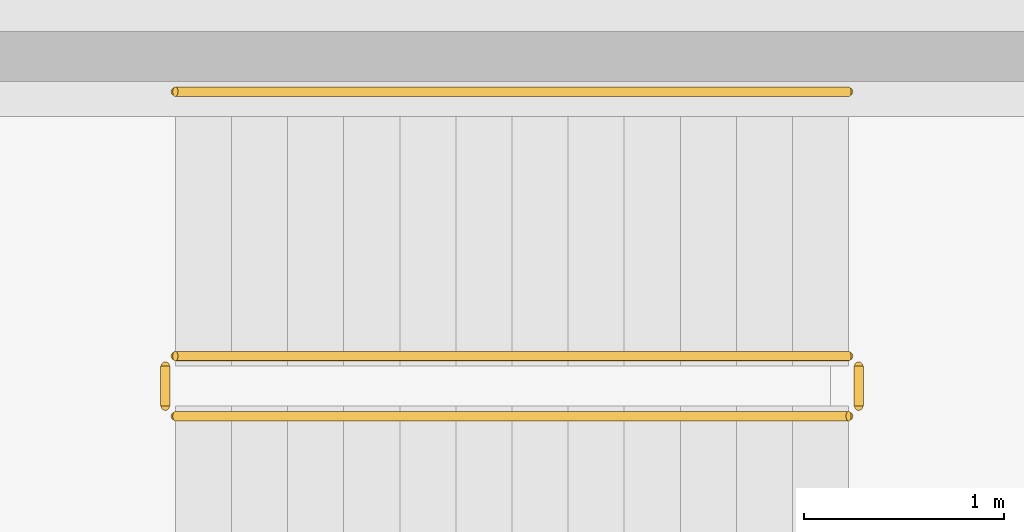
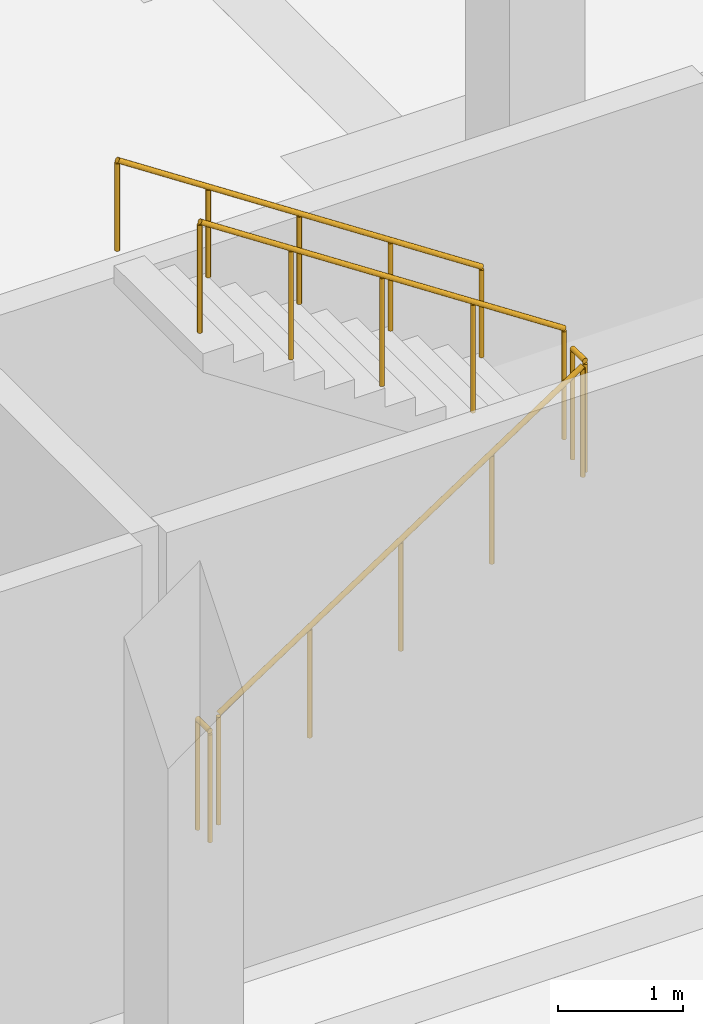
# One storey, part 45 of 50: 5 railings.
"""IFC4 building model written with IfcOpenShell, lengths in metres."""

import ifcopenshell
import ifcopenshell.guid

model = None  # the IFC model being written
_history = None  # IfcOwnerHistory: only IFC2X3 demands one
_inside = {}  # id of a spatial element -> (the spatial element, [elements in it])
_under = {}  # id of a project, library or spatial element -> (it, [spatial elements below it])
_declared = {}  # id of a project -> (the project, [libraries it declares])
_typed = {}  # id of a type object -> (the type object, [elements of that type])
_made_of = {}  # id of a material, layer set ... -> (it, [elements and type objects made of it])


def new_model(schema):
    """Start an empty IFC model of exactly this schema.

    Asked for "IFC4X3", IfcOpenShell would pick the latest addendum, in which some entities
    have other attributes; the version numbers below select the first issue.
    IFC2X3 requires an IfcOwnerHistory on every rooted entity: one is made here for all.
    """
    global model, _history
    if schema == "IFC4X3":
        model = ifcopenshell.file(schema_version=(4, 3, 0, 0))
    else:
        model = ifcopenshell.file(schema=schema)
    _inside.clear()
    _under.clear()
    _declared.clear()
    _typed.clear()
    _made_of.clear()
    _history = None
    if model.schema == "IFC2X3":
        org = make("IfcOrganization", Name="unknown")
        user = make(
            "IfcPersonAndOrganization",
            ThePerson=make("IfcPerson", FamilyName="unknown"),
            TheOrganization=org,
        )
        app = make(
            "IfcApplication",
            ApplicationDeveloper=org,
            Version="unknown",
            ApplicationFullName="unknown",
            ApplicationIdentifier="unknown",
        )
        _history = make(
            "IfcOwnerHistory",
            OwningUser=user,
            OwningApplication=app,
            ChangeAction="ADDED",
            CreationDate=0,
        )
    return model


def make(cls, **values):
    """One entity of the class cls with the attributes given. An attribute that is None is left unset."""
    return model.create_entity(
        cls, **{name: value for name, value in values.items() if value is not None}
    )


def rooted(cls, **values):
    """An entity with a GlobalId (a new one), such as an element, a storey or a relation."""
    return make(cls, GlobalId=ifcopenshell.guid.new(), OwnerHistory=_history, **values)


def si_unit(unit_type, name, prefix=None):
    """IfcSIUnit, for example si_unit("LENGTHUNIT", "METRE", prefix="MILLI")."""
    return make("IfcSIUnit", UnitType=unit_type, Prefix=prefix, Name=name)


def assignment(units):
    """IfcUnitAssignment: the units of a project."""
    return None if units is None else make("IfcUnitAssignment", Units=units)


def point(xyz):
    """IfcCartesianPoint."""
    return None if xyz is None else make("IfcCartesianPoint", Coordinates=xyz)


def direction(xyz):
    """IfcDirection."""
    return None if xyz is None else make("IfcDirection", DirectionRatios=xyz)


def frame(location, z_axis=None, x_axis=None):
    """IfcAxis2Placement3D, a coordinate frame: its origin and axes. An axis left out is left unset."""
    return make(
        "IfcAxis2Placement3D",
        Location=point(location),
        Axis=direction(z_axis),
        RefDirection=direction(x_axis),
    )


def frame_2d(location, x_axis=None):
    """IfcAxis2Placement2D, a coordinate frame in the plane: its origin and x axis."""
    return make(
        "IfcAxis2Placement2D", Location=point(location), RefDirection=direction(x_axis)
    )


def origin():
    """The frame at (0, 0, 0) with its axes left unset."""
    return frame((0.0, 0.0, 0.0))


def origin_2d():
    """The frame at (0, 0) in the plane with its x axis left unset."""
    return frame_2d((0.0, 0.0))


def place(relative_to, where):
    """IfcLocalPlacement: puts the frame where relative to a parent placement (None: the world)."""
    return make(
        "IfcLocalPlacement", PlacementRelTo=relative_to, RelativePlacement=where
    )


def context(
    kind, dimensions, precision=None, world=None, true_north=None, identifier=None
):
    """IfcGeometricRepresentationContext, for example the 3D "Model" context."""
    return make(
        "IfcGeometricRepresentationContext",
        ContextIdentifier=identifier,
        ContextType=kind,
        CoordinateSpaceDimension=dimensions,
        Precision=precision,
        WorldCoordinateSystem=world,
        TrueNorth=true_north,
    )


def subcontext(parent, identifier, kind, view, scale=None):
    """IfcGeometricRepresentationSubContext, for example "Body" below "Model"."""
    return make(
        "IfcGeometricRepresentationSubContext",
        ContextIdentifier=identifier,
        ContextType=kind,
        ParentContext=parent,
        TargetScale=scale,
        TargetView=view,
    )


def project(units=None, contexts=None):
    """IfcProject with its units and contexts."""
    return rooted(
        "IfcProject",
        Name="project",
        RepresentationContexts=contexts,
        UnitsInContext=assignment(units),
    )


def spatial(cls, under=None, at=None, **own):
    """A site, building, storey or space (cls), placed at a placement, below another one or the project."""
    s = rooted(cls, ObjectPlacement=at, **own)
    if under is not None:
        _under.setdefault(under.id(), (under, []))[1].append(s)
    return s


def profile(cls, at=None, kind="AREA", **sizes):
    """A parametric profile (cls). Its sizes go by their IFC names, for example OverallWidth=200.0."""
    return make(cls, ProfileType=kind, Position=at, **sizes)


def circle(**sizes):
    """IfcCircleProfileDef."""
    return profile("IfcCircleProfileDef", **sizes)


def extrude(swept, where, along, depth):
    """IfcExtrudedAreaSolid: the profile swept, set in the frame where, extruded along a direction by depth."""
    return make(
        "IfcExtrudedAreaSolid",
        SweptArea=swept,
        Position=where,
        ExtrudedDirection=direction(along),
        Depth=depth,
    )


def shape(context_of_items, identifier, shape_type, items):
    """IfcShapeRepresentation: the items that make up one representation, for example the "Body"."""
    return make(
        "IfcShapeRepresentation",
        ContextOfItems=context_of_items,
        RepresentationIdentifier=identifier,
        RepresentationType=shape_type,
        Items=items,
    )


def material(Name=None, Category=None):
    """IfcMaterial."""
    return make("IfcMaterial", Name=Name, Category=Category)


def made_of(thing, what):
    """Note that an element or type object is made of a material, layer set ...; save() writes the relation."""
    if what is not None:
        _made_of.setdefault(what.id(), (what, []))[1].append(thing)
    return thing


def type_object(cls, material=None, **own):
    """A type object (cls), such as IfcWallType, which elements share."""
    return made_of(rooted(cls, **own), material)


def element(
    cls,
    number,
    at=None,
    inside=None,
    cuts=None,
    type_object=None,
    material=None,
    context=None,
    identifier="Body",
    shape_type=None,
    held_by="IfcProductDefinitionShape",
    body=None,
    shapes=None,
    **own,
):
    """One element of the class cls, such as IfcWall. Its Tag is "e" and its number.

    at: its placement. inside: the storey or other place that contains it. cuts: it is an
    opening in that element (IfcRelVoidsElement). A single representation is given by context,
    identifier, shape_type and body (its items); several are given by shapes. held_by: the class
    of the entity that holds the representations. save() writes the other relations.
    """
    e = rooted(cls, Tag="e%d" % number, ObjectPlacement=at, **own)
    if body is not None:
        shapes = [shape(context, identifier, shape_type, body)]
    if shapes is not None:
        e.Representation = make(held_by, Representations=shapes)
    if inside is not None:
        _inside.setdefault(inside.id(), (inside, []))[1].append(e)
    if cuts is not None:
        rooted(
            "IfcRelVoidsElement", RelatingBuildingElement=cuts, RelatedOpeningElement=e
        )
    if type_object is not None:
        _typed.setdefault(type_object.id(), (type_object, []))[1].append(e)
    return made_of(e, material)


def aggregate(whole, parts):
    """IfcRelAggregates: a whole, such as a stair, and the parts it consists of."""
    return rooted("IfcRelAggregates", RelatingObject=whole, RelatedObjects=parts)


def save(model, path):
    """Write the relations noted so far, then the file.

    IfcRelAggregates (storeys below a building ...), IfcRelContainedInSpatialStructure (elements
    in a storey), IfcRelDefinesByType, IfcRelAssociatesMaterial and IfcRelDeclares: one each for
    every whole, place, type object, material and project.
    """
    for whole, parts in _under.values():
        aggregate(whole, parts)
    for where, things in _inside.values():
        rooted(
            "IfcRelContainedInSpatialStructure",
            RelatedElements=things,
            RelatingStructure=where,
        )
    for kind, things in _typed.values():
        rooted("IfcRelDefinesByType", RelatedObjects=things, RelatingType=kind)
    for what, things in _made_of.values():
        rooted("IfcRelAssociatesMaterial", RelatedObjects=things, RelatingMaterial=what)
    for by, libraries in _declared.values():
        rooted("IfcRelDeclares", RelatingContext=by, RelatedDefinitions=libraries)
    model.write(path)


model = new_model("IFC4")

# Units and contexts
model_context = context("Model", 3, precision=1e-05, world=origin(), true_north=direction((0.0, 1.0)))
body_context = subcontext(model_context, "Body", "Model", "MODEL_VIEW")
ifc_project = project(units=[si_unit("LENGTHUNIT", "METRE"), si_unit("AREAUNIT", "SQUARE_METRE"), si_unit("VOLUMEUNIT", "CUBIC_METRE"), si_unit("PLANEANGLEUNIT", "RADIAN"), si_unit("MASSUNIT", "GRAM", prefix="KILO")], contexts=[model_context])

# Site, building, storey
site_placement = place(None, origin())
site = spatial("IfcSite", under=ifc_project, at=site_placement, CompositionType="ELEMENT")
building_placement = place(site_placement, origin())
building = spatial("IfcBuilding", under=site, at=building_placement, Name="Vekula Escarpment Museum", CompositionType="ELEMENT")
storey_placement = place(building_placement, frame((0.0, 0.0, -4.800048828125)))
storey = spatial("IfcBuildingStorey", under=building, at=storey_placement, Name="B1", CompositionType="ELEMENT", Elevation=-4.800048828125)

# Railings
ifc_material_1 = material(Name="Painted Steel S355 stair guard", Category="steel")
railing_type_1 = type_object("IfcRailingType", Name="RL-STAIR-GUARD", PredefinedType="GUARDRAIL", material=ifc_material_1)
railing_1_placement = place(storey_placement, frame((49.919921875, 70.77001953125, 0.1845703125)))
element("IfcRailing", 1, at=railing_1_placement, inside=storey, type_object=railing_type_1, Name="B1 ST-10 stair guard 1", PredefinedType="GUARDRAIL", context=body_context, shape_type="SweptSolid", body=[
    extrude(circle(Radius=0.02392578125, at=origin_2d()), frame((0.0, 0.0, 1.076171875), z_axis=(0.834848600103, 0.0, 0.550479622607), x_axis=(0.0, 1.0, 0.0)), (0.0, 0.0, 1.0), 4.02490234375),
    extrude(circle(Radius=0.02099609375, at=origin_2d()), origin(), (0.0, 0.0, 1.0), 1.052001953125),
    extrude(circle(Radius=0.02099609375, at=origin_2d()), frame((0.840087890625, 0.0, 0.553955078125)), (0.0, 0.0, 1.0), 1.052001953125),
    extrude(circle(Radius=0.02099609375, at=origin_2d()), frame((1.68017578125, 0.0, 1.10791015625)), (0.0, 0.0, 1.0), 1.052001953125),
    extrude(circle(Radius=0.02099609375, at=origin_2d()), frame((2.52001953125, 0.0, 1.66162109375)), (0.0, 0.0, 1.0), 1.052001953125),
    extrude(circle(Radius=0.02099609375, at=origin_2d()), frame((3.360107421875, 0.0, 2.215576171875)), (0.0, 0.0, 1.0), 1.052001953125),
])
railing_2_placement = place(storey_placement, frame((53.330078125, 70.820068359375, 2.400146484375)))
element("IfcRailing", 2, at=railing_2_placement, inside=storey, type_object=railing_type_1, Name="B1 ST-10 stair guard 2", PredefinedType="GUARDRAIL", context=body_context, shape_type="SweptSolid", body=[
    extrude(circle(Radius=0.02392578125, at=origin_2d()), frame((0.0, 0.0, 1.076171875), z_axis=(0.0, 1.0, 0.0), x_axis=(-1.0, 0.0, 0.0)), (0.0, 0.0, 1.0), 0.199951171875),
    extrude(circle(Radius=0.02099609375, at=origin_2d()), origin(), (0.0, 0.0, 1.0), 1.052001953125),
    extrude(circle(Radius=0.02099609375, at=origin_2d()), frame((0.0, 0.199951171875, 0.0)), (0.0, 0.0, 1.0), 1.052001953125),
])
railing_3_placement = place(storey_placement, frame((53.280029296875, 71.070068359375, 2.584716796875)))
element("IfcRailing", 3, at=railing_3_placement, inside=storey, type_object=railing_type_1, Name="B1 ST-10 stair guard 3", PredefinedType="GUARDRAIL", context=body_context, shape_type="SweptSolid", body=[
    extrude(circle(Radius=0.02392578125, at=origin_2d()), frame((0.0, 0.0, 1.076171875), z_axis=(-0.834876476806, 0.0, 0.550437342915), x_axis=(0.0, -1.0, 0.0)), (0.0, 0.0, 1.0), 4.024658203125),
    extrude(circle(Radius=0.02099609375, at=origin_2d()), origin(), (0.0, 0.0, 1.0), 1.052001953125),
    extrude(circle(Radius=0.02099609375, at=origin_2d()), frame((-0.840087890625, 0.0, 0.5537109375)), (0.0, 0.0, 1.0), 1.052001953125),
    extrude(circle(Radius=0.02099609375, at=origin_2d()), frame((-1.68017578125, 0.0, 1.107666015625)), (0.0, 0.0, 1.0), 1.052001953125),
    extrude(circle(Radius=0.02099609375, at=origin_2d()), frame((-2.52001953125, 0.0, 1.66162109375)), (0.0, 0.0, 1.0), 1.052001953125),
    extrude(circle(Radius=0.02099609375, at=origin_2d()), frame((-3.360107421875, 0.0, 2.21533203125)), (0.0, 0.0, 1.0), 1.052001953125),
])
railing_4_placement = place(storey_placement, frame((49.8701171875, 70.820068359375, 0.0)))
element("IfcRailing", 4, at=railing_4_placement, inside=storey, type_object=railing_type_1, Name="B1 ST-10 stair guard 4", PredefinedType="GUARDRAIL", context=body_context, shape_type="SweptSolid", body=[
    extrude(circle(Radius=0.02392578125, at=origin_2d()), frame((0.0, 0.0, 1.076171875), z_axis=(0.0, 1.0, 0.0), x_axis=(-1.0, 0.0, 0.0)), (0.0, 0.0, 1.0), 0.199951171875),
    extrude(circle(Radius=0.02099609375, at=origin_2d()), origin(), (0.0, 0.0, 1.0), 1.052001953125),
    extrude(circle(Radius=0.02099609375, at=origin_2d()), frame((0.0, 0.199951171875, 0.0)), (0.0, 0.0, 1.0), 1.052001953125),
])
ifc_material_2 = material(Name="Brushed stainless steel handrail", Category="steel")
railing_type_2 = type_object("IfcRailingType", Name="RL-STAIR-HAND", PredefinedType="HANDRAIL", material=ifc_material_2)
railing_5_placement = place(storey_placement, frame((53.280029296875, 72.389892578125, 2.584716796875)))
element("IfcRailing", 5, at=railing_5_placement, inside=storey, type_object=railing_type_2, Name="B1 ST-10 stair handrail 2", PredefinedType="HANDRAIL", context=body_context, shape_type="SweptSolid", body=[
    extrude(circle(Radius=0.02392578125, at=origin_2d()), frame((0.0, 0.0, 0.8759765625), z_axis=(-0.834876476806, 0.0, 0.550437342915), x_axis=(0.0, -1.0, 0.0)), (0.0, 0.0, 1.0), 4.024658203125),
    extrude(circle(Radius=0.02099609375, at=origin_2d()), origin(), (0.0, 0.0, 1.0), 0.851806640625),
    extrude(circle(Radius=0.02099609375, at=origin_2d()), frame((-0.840087890625, 0.0, 0.5537109375)), (0.0, 0.0, 1.0), 0.851806640625),
    extrude(circle(Radius=0.02099609375, at=origin_2d()), frame((-1.68017578125, 0.0, 1.107666015625)), (0.0, 0.0, 1.0), 0.851806640625),
    extrude(circle(Radius=0.02099609375, at=origin_2d()), frame((-2.52001953125, 0.0, 1.66162109375)), (0.0, 0.0, 1.0), 0.851806640625),
    extrude(circle(Radius=0.02099609375, at=origin_2d()), frame((-3.360107421875, 0.0, 2.21533203125)), (0.0, 0.0, 1.0), 0.851806640625),
])

save(model, "model.ifc")
